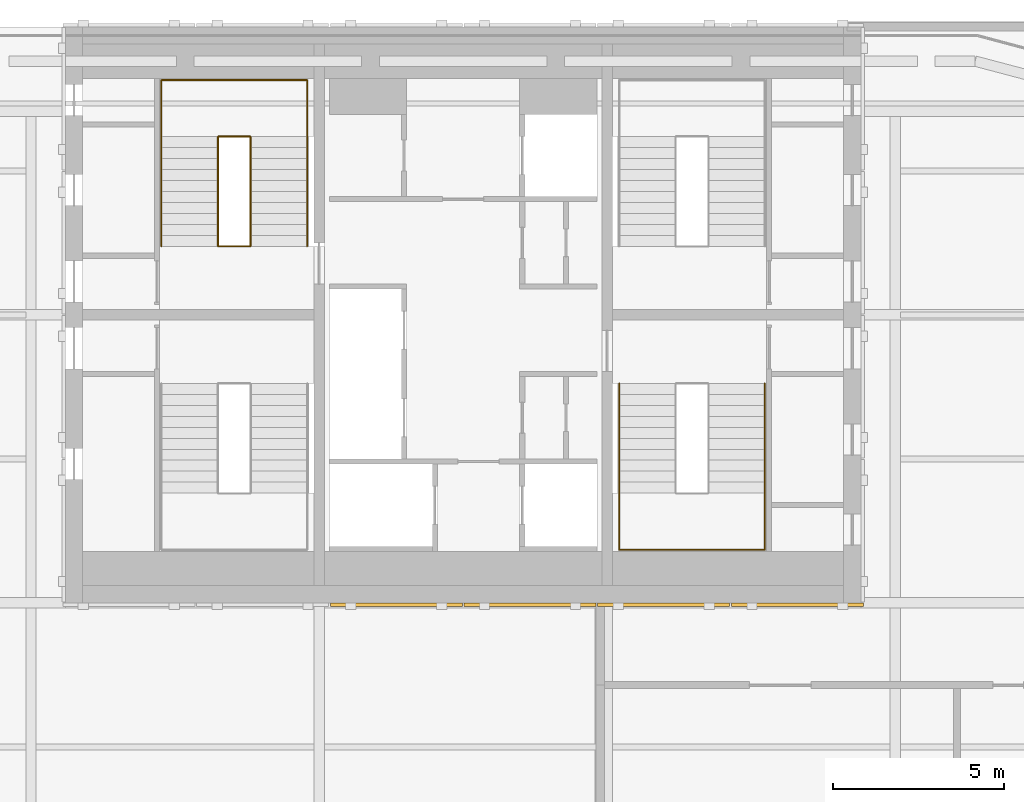
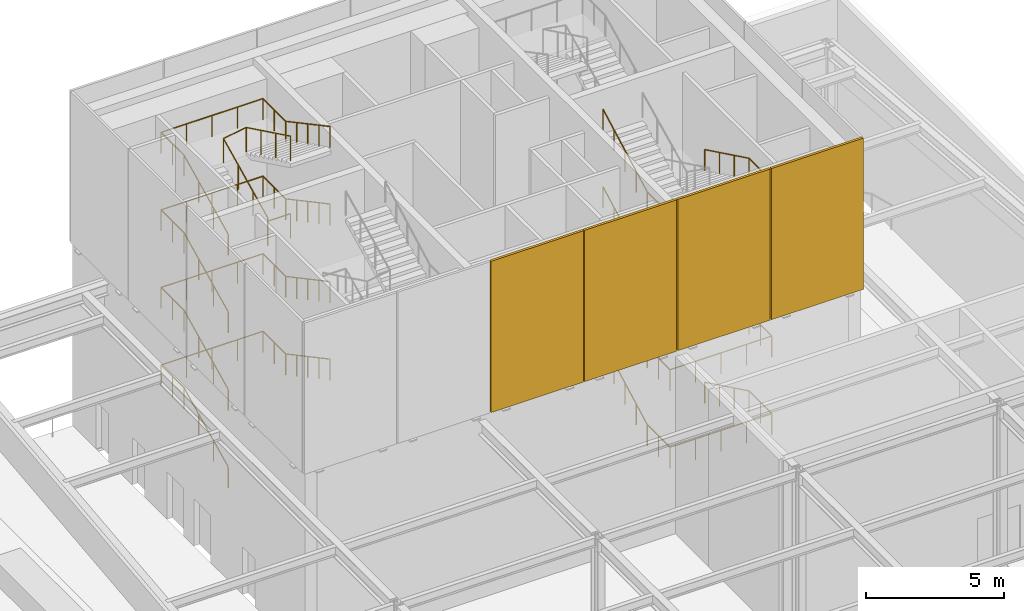
# One storey, part 12 of 14: 9 railings, 4 coverings.
"""IFC4 building model written with IfcOpenShell, lengths in metres."""

from ifc_helpers import new_model, si_unit, direction, frame, origin, origin_2d, place, context, subcontext, project, spatial, rectangle, circle, extrude, material, layer, layer_set, type_object, element, save


model = new_model("IFC4")

# Units and contexts
model_context = context("Model", 3, precision=1e-05, world=origin(), true_north=direction((0.0, 1.0)))
body_context = subcontext(model_context, "Body", "Model", "MODEL_VIEW")
ifc_project = project(units=[si_unit("LENGTHUNIT", "METRE"), si_unit("AREAUNIT", "SQUARE_METRE"), si_unit("VOLUMEUNIT", "CUBIC_METRE"), si_unit("PLANEANGLEUNIT", "RADIAN"), si_unit("MASSUNIT", "GRAM", prefix="KILO")], contexts=[model_context])

# Site, building, storey
site_placement = place(None, origin())
site = spatial("IfcSite", under=ifc_project, at=site_placement, CompositionType="ELEMENT")
building_placement = place(site_placement, origin())
building = spatial("IfcBuilding", under=site, at=building_placement, Name="Marenta Gate Hotel Tower", CompositionType="ELEMENT")
storey_placement = place(building_placement, frame((0.0, 0.0, 295.699951171875)))
storey = spatial("IfcBuildingStorey", under=building, at=storey_placement, Name="L67", CompositionType="ELEMENT", Elevation=295.699951171875)

# Railings
ifc_material_1 = material(Name="Stainless steel", Category="steel")
railing_type_1 = type_object("IfcRailingType", Name="Core stair handrail 950", PredefinedType="HANDRAIL", material=ifc_material_1)
railing_1_placement = place(storey_placement, frame((-8.800048828125, 10.39990234375, 0.15576171875)))
element("IfcRailing", 1, at=railing_1_placement, inside=storey, type_object=railing_type_1, Name="HR-950 L67-KR-ST2-1", PredefinedType="HANDRAIL", context=body_context, shape_type="SweptSolid", body=[
    extrude(circle(Radius=0.02392578125, at=origin_2d()), frame((0.0, 0.0, 0.92578125), z_axis=(0.0, 0.899231441842, 0.437473215184), x_axis=(-1.0, 0.0, 0.0)), (0.0, 0.0, 1.0), 3.558837890625),
    extrude(circle(Radius=0.02392578125, at=origin_2d()), frame((0.0, 3.2001953125, 2.48291015625), z_axis=(0.0, 1.0, 0.0), x_axis=(-1.0, 0.0, 0.0)), (0.0, 0.0, 1.0), 1.64990234375),
    extrude(circle(Radius=0.02392578125, at=origin_2d()), frame((0.0, 4.85009765625, 2.48291015625), z_axis=(1.0, 0.0, 0.0), x_axis=(0.0, 1.0, 0.0)), (0.0, 0.0, 1.0), 4.25),
    extrude(circle(Radius=0.02392578125, at=origin_2d()), frame((4.25, 4.85009765625, 2.48291015625), z_axis=(0.0, -1.0, 0.0), x_axis=(1.0, 0.0, 0.0)), (0.0, 0.0, 1.0), 1.64990234375),
    extrude(circle(Radius=0.02392578125, at=origin_2d()), frame((4.25, 3.2001953125, 2.48291015625), z_axis=(0.0, -0.881707861185, 0.47179576887), x_axis=(1.0, 0.0, 0.0)), (0.0, 0.0, 1.0), 3.629638671875),
    extrude(circle(Radius=0.02099609375, at=origin_2d()), origin(), (0.0, 0.0, 1.0), 0.90185546875),
    extrude(circle(Radius=0.02099609375, at=origin_2d()), frame((0.0, 1.066650390625, 0.51904296875)), (0.0, 0.0, 1.0), 0.90185546875),
    extrude(circle(Radius=0.02099609375, at=origin_2d()), frame((0.0, 2.133544921875, 1.037841796875)), (0.0, 0.0, 1.0), 0.90185546875),
    extrude(circle(Radius=0.02099609375, at=origin_2d()), frame((0.0, 3.2001953125, 1.556884765625)), (0.0, 0.0, 1.0), 0.90185546875),
    extrude(circle(Radius=0.02099609375, at=origin_2d()), frame((0.0, 4.025146484375, 1.556884765625)), (0.0, 0.0, 1.0), 0.90185546875),
    extrude(circle(Radius=0.02099609375, at=origin_2d()), frame((0.0, 4.85009765625, 1.556884765625)), (0.0, 0.0, 1.0), 0.90185546875),
    extrude(circle(Radius=0.02099609375, at=origin_2d()), frame((1.0625, 4.85009765625, 1.556884765625)), (0.0, 0.0, 1.0), 0.90185546875),
    extrude(circle(Radius=0.02099609375, at=origin_2d()), frame((2.125, 4.85009765625, 1.556884765625)), (0.0, 0.0, 1.0), 0.90185546875),
    extrude(circle(Radius=0.02099609375, at=origin_2d()), frame((3.1875, 4.85009765625, 1.556884765625)), (0.0, 0.0, 1.0), 0.90185546875),
    extrude(circle(Radius=0.02099609375, at=origin_2d()), frame((4.25, 4.85009765625, 1.556884765625)), (0.0, 0.0, 1.0), 0.90185546875),
    extrude(circle(Radius=0.02099609375, at=origin_2d()), frame((4.25, 4.025146484375, 1.556884765625)), (0.0, 0.0, 1.0), 0.90185546875),
    extrude(circle(Radius=0.02099609375, at=origin_2d()), frame((4.25, 3.2001953125, 1.556884765625)), (0.0, 0.0, 1.0), 0.90185546875),
    extrude(circle(Radius=0.02099609375, at=origin_2d()), frame((4.25, 2.400146484375, 1.98486328125)), (0.0, 0.0, 1.0), 0.90185546875),
    extrude(circle(Radius=0.02099609375, at=origin_2d()), frame((4.25, 1.60009765625, 2.4130859375)), (0.0, 0.0, 1.0), 0.90185546875),
    extrude(circle(Radius=0.02099609375, at=origin_2d()), frame((4.25, 0.800048828125, 2.84130859375)), (0.0, 0.0, 1.0), 0.90185546875),
    extrude(circle(Radius=0.02099609375, at=origin_2d()), frame((4.25, 0.0, 3.269287109375)), (0.0, 0.0, 1.0), 0.90185546875),
])
railing_2_placement = place(storey_placement, frame((-8.800048828125, 10.39990234375, 3.580810546875)))
element("IfcRailing", 2, at=railing_2_placement, inside=storey, type_object=railing_type_1, Name="HR-950 L67-KR-ST2-3", PredefinedType="HANDRAIL", context=body_context, shape_type="SweptSolid", body=[
    extrude(circle(Radius=0.02392578125, at=origin_2d()), frame((0.0, 0.0, 0.92578125), z_axis=(0.0, 0.899258428152, 0.437417740151), x_axis=(-1.0, 0.0, 0.0)), (0.0, 0.0, 1.0), 3.55859375),
    extrude(circle(Radius=0.02392578125, at=origin_2d()), frame((0.0, 3.2001953125, 2.482421875), z_axis=(0.0, 1.0, 0.0), x_axis=(-1.0, 0.0, 0.0)), (0.0, 0.0, 1.0), 1.64990234375),
    extrude(circle(Radius=0.02392578125, at=origin_2d()), frame((0.0, 4.85009765625, 2.482421875), z_axis=(1.0, 0.0, 0.0), x_axis=(0.0, 1.0, 0.0)), (0.0, 0.0, 1.0), 4.25),
    extrude(circle(Radius=0.02392578125, at=origin_2d()), frame((4.25, 4.85009765625, 2.482421875), z_axis=(0.0, -1.0, 0.0), x_axis=(1.0, 0.0, 0.0)), (0.0, 0.0, 1.0), 1.64990234375),
    extrude(circle(Radius=0.02392578125, at=origin_2d()), frame((4.25, 3.2001953125, 2.482421875), z_axis=(0.0, -0.881679879278, 0.471848058677), x_axis=(1.0, 0.0, 0.0)), (0.0, 0.0, 1.0), 3.629638671875),
    extrude(circle(Radius=0.02099609375, at=origin_2d()), origin(), (0.0, 0.0, 1.0), 0.90185546875),
    extrude(circle(Radius=0.02099609375, at=origin_2d()), frame((0.0, 1.066650390625, 0.518798828125)), (0.0, 0.0, 1.0), 0.90185546875),
    extrude(circle(Radius=0.02099609375, at=origin_2d()), frame((0.0, 2.133544921875, 1.037841796875)), (0.0, 0.0, 1.0), 0.90185546875),
    extrude(circle(Radius=0.02099609375, at=origin_2d()), frame((0.0, 3.2001953125, 1.556640625)), (0.0, 0.0, 1.0), 0.90185546875),
    extrude(circle(Radius=0.02099609375, at=origin_2d()), frame((0.0, 4.025146484375, 1.556640625)), (0.0, 0.0, 1.0), 0.90185546875),
    extrude(circle(Radius=0.02099609375, at=origin_2d()), frame((0.0, 4.85009765625, 1.556640625)), (0.0, 0.0, 1.0), 0.90185546875),
    extrude(circle(Radius=0.02099609375, at=origin_2d()), frame((1.0625, 4.85009765625, 1.556640625)), (0.0, 0.0, 1.0), 0.90185546875),
    extrude(circle(Radius=0.02099609375, at=origin_2d()), frame((2.125, 4.85009765625, 1.556640625)), (0.0, 0.0, 1.0), 0.90185546875),
    extrude(circle(Radius=0.02099609375, at=origin_2d()), frame((3.1875, 4.85009765625, 1.556640625)), (0.0, 0.0, 1.0), 0.90185546875),
    extrude(circle(Radius=0.02099609375, at=origin_2d()), frame((4.25, 4.85009765625, 1.556640625)), (0.0, 0.0, 1.0), 0.90185546875),
    extrude(circle(Radius=0.02099609375, at=origin_2d()), frame((4.25, 4.025146484375, 1.556640625)), (0.0, 0.0, 1.0), 0.90185546875),
    extrude(circle(Radius=0.02099609375, at=origin_2d()), frame((4.25, 3.2001953125, 1.556640625)), (0.0, 0.0, 1.0), 0.90185546875),
    extrude(circle(Radius=0.02099609375, at=origin_2d()), frame((4.25, 2.400146484375, 1.98486328125)), (0.0, 0.0, 1.0), 0.90185546875),
    extrude(circle(Radius=0.02099609375, at=origin_2d()), frame((4.25, 1.60009765625, 2.4130859375)), (0.0, 0.0, 1.0), 0.90185546875),
    extrude(circle(Radius=0.02099609375, at=origin_2d()), frame((4.25, 0.800048828125, 2.841064453125)), (0.0, 0.0, 1.0), 0.90185546875),
    extrude(circle(Radius=0.02099609375, at=origin_2d()), frame((4.25, 0.0, 3.269287109375)), (0.0, 0.0, 1.0), 0.90185546875),
])
railing_3_placement = place(storey_placement, frame((-8.800048828125, 10.39990234375, 7.005615234375)))
element("IfcRailing", 3, at=railing_3_placement, inside=storey, type_object=railing_type_1, Name="HR-950 L67-KR-ST2-5", PredefinedType="HANDRAIL", context=body_context, shape_type="SweptSolid", body=[
    extrude(circle(Radius=0.02392578125, at=origin_2d()), frame((0.0, 0.0, 0.92578125), z_axis=(0.0, 0.899231441842, 0.437473215184), x_axis=(-1.0, 0.0, 0.0)), (0.0, 0.0, 1.0), 3.558837890625),
    extrude(circle(Radius=0.02392578125, at=origin_2d()), frame((0.0, 3.2001953125, 2.48291015625), z_axis=(0.0, 1.0, 0.0), x_axis=(-1.0, 0.0, 0.0)), (0.0, 0.0, 1.0), 1.64990234375),
    extrude(circle(Radius=0.02392578125, at=origin_2d()), frame((0.0, 4.85009765625, 2.48291015625), z_axis=(1.0, 0.0, 0.0), x_axis=(0.0, 1.0, 0.0)), (0.0, 0.0, 1.0), 4.25),
    extrude(circle(Radius=0.02392578125, at=origin_2d()), frame((4.25, 4.85009765625, 2.48291015625), z_axis=(0.0, -1.0, 0.0), x_axis=(1.0, 0.0, 0.0)), (0.0, 0.0, 1.0), 1.64990234375),
    extrude(circle(Radius=0.02392578125, at=origin_2d()), frame((4.25, 3.2001953125, 2.48291015625), z_axis=(0.0, -0.881679879278, 0.471848058677), x_axis=(1.0, 0.0, 0.0)), (0.0, 0.0, 1.0), 3.629638671875),
    extrude(circle(Radius=0.02099609375, at=origin_2d()), origin(), (0.0, 0.0, 1.0), 0.90185546875),
    extrude(circle(Radius=0.02099609375, at=origin_2d()), frame((0.0, 1.066650390625, 0.51904296875)), (0.0, 0.0, 1.0), 0.90185546875),
    extrude(circle(Radius=0.02099609375, at=origin_2d()), frame((0.0, 2.133544921875, 1.037841796875)), (0.0, 0.0, 1.0), 0.90185546875),
    extrude(circle(Radius=0.02099609375, at=origin_2d()), frame((0.0, 3.2001953125, 1.556884765625)), (0.0, 0.0, 1.0), 0.90185546875),
    extrude(circle(Radius=0.02099609375, at=origin_2d()), frame((0.0, 4.025146484375, 1.556884765625)), (0.0, 0.0, 1.0), 0.90185546875),
    extrude(circle(Radius=0.02099609375, at=origin_2d()), frame((0.0, 4.85009765625, 1.556884765625)), (0.0, 0.0, 1.0), 0.90185546875),
    extrude(circle(Radius=0.02099609375, at=origin_2d()), frame((1.0625, 4.85009765625, 1.556884765625)), (0.0, 0.0, 1.0), 0.90185546875),
    extrude(circle(Radius=0.02099609375, at=origin_2d()), frame((2.125, 4.85009765625, 1.556884765625)), (0.0, 0.0, 1.0), 0.90185546875),
    extrude(circle(Radius=0.02099609375, at=origin_2d()), frame((3.1875, 4.85009765625, 1.556884765625)), (0.0, 0.0, 1.0), 0.90185546875),
    extrude(circle(Radius=0.02099609375, at=origin_2d()), frame((4.25, 4.85009765625, 1.556884765625)), (0.0, 0.0, 1.0), 0.90185546875),
    extrude(circle(Radius=0.02099609375, at=origin_2d()), frame((4.25, 4.025146484375, 1.556884765625)), (0.0, 0.0, 1.0), 0.90185546875),
    extrude(circle(Radius=0.02099609375, at=origin_2d()), frame((4.25, 3.2001953125, 1.556884765625)), (0.0, 0.0, 1.0), 0.90185546875),
    extrude(circle(Radius=0.02099609375, at=origin_2d()), frame((4.25, 2.400146484375, 1.985107421875)), (0.0, 0.0, 1.0), 0.90185546875),
    extrude(circle(Radius=0.02099609375, at=origin_2d()), frame((4.25, 1.60009765625, 2.4130859375)), (0.0, 0.0, 1.0), 0.90185546875),
    extrude(circle(Radius=0.02099609375, at=origin_2d()), frame((4.25, 0.800048828125, 2.84130859375)), (0.0, 0.0, 1.0), 0.90185546875),
    extrude(circle(Radius=0.02099609375, at=origin_2d()), frame((4.25, 0.0, 3.26953125)), (0.0, 0.0, 1.0), 0.90185546875),
])
railing_4_placement = place(storey_placement, frame((-8.800048828125, 10.39990234375, 10.4306640625)))
element("IfcRailing", 4, at=railing_4_placement, inside=storey, type_object=railing_type_1, Name="HR-950 L67-KR-ST2-7", PredefinedType="HANDRAIL", context=body_context, shape_type="SweptSolid", body=[
    extrude(circle(Radius=0.02392578125, at=origin_2d()), frame((0.0, 0.0, 0.92578125), z_axis=(0.0, 0.899231441842, 0.437473215184), x_axis=(-1.0, 0.0, 0.0)), (0.0, 0.0, 1.0), 3.558837890625),
    extrude(circle(Radius=0.02392578125, at=origin_2d()), frame((0.0, 3.2001953125, 2.48291015625), z_axis=(0.0, 1.0, 0.0), x_axis=(-1.0, 0.0, 0.0)), (0.0, 0.0, 1.0), 1.64990234375),
    extrude(circle(Radius=0.02392578125, at=origin_2d()), frame((0.0, 4.85009765625, 2.48291015625), z_axis=(1.0, 0.0, 0.0), x_axis=(0.0, 1.0, 0.0)), (0.0, 0.0, 1.0), 4.25),
    extrude(circle(Radius=0.02392578125, at=origin_2d()), frame((4.25, 4.85009765625, 2.48291015625), z_axis=(0.0, -1.0, 0.0), x_axis=(1.0, 0.0, 0.0)), (0.0, 0.0, 1.0), 1.64990234375),
    extrude(circle(Radius=0.02392578125, at=origin_2d()), frame((4.25, 3.2001953125, 2.48291015625), z_axis=(0.0, -0.881707861185, 0.47179576887), x_axis=(1.0, 0.0, 0.0)), (0.0, 0.0, 1.0), 3.629638671875),
    extrude(circle(Radius=0.02099609375, at=origin_2d()), origin(), (0.0, 0.0, 1.0), 0.90185546875),
    extrude(circle(Radius=0.02099609375, at=origin_2d()), frame((0.0, 1.066650390625, 0.51904296875)), (0.0, 0.0, 1.0), 0.90185546875),
    extrude(circle(Radius=0.02099609375, at=origin_2d()), frame((0.0, 2.133544921875, 1.037841796875)), (0.0, 0.0, 1.0), 0.90185546875),
    extrude(circle(Radius=0.02099609375, at=origin_2d()), frame((0.0, 3.2001953125, 1.556884765625)), (0.0, 0.0, 1.0), 0.90185546875),
    extrude(circle(Radius=0.02099609375, at=origin_2d()), frame((0.0, 4.025146484375, 1.556884765625)), (0.0, 0.0, 1.0), 0.90185546875),
    extrude(circle(Radius=0.02099609375, at=origin_2d()), frame((0.0, 4.85009765625, 1.556884765625)), (0.0, 0.0, 1.0), 0.90185546875),
    extrude(circle(Radius=0.02099609375, at=origin_2d()), frame((1.0625, 4.85009765625, 1.556884765625)), (0.0, 0.0, 1.0), 0.90185546875),
    extrude(circle(Radius=0.02099609375, at=origin_2d()), frame((2.125, 4.85009765625, 1.556884765625)), (0.0, 0.0, 1.0), 0.90185546875),
    extrude(circle(Radius=0.02099609375, at=origin_2d()), frame((3.1875, 4.85009765625, 1.556884765625)), (0.0, 0.0, 1.0), 0.90185546875),
    extrude(circle(Radius=0.02099609375, at=origin_2d()), frame((4.25, 4.85009765625, 1.556884765625)), (0.0, 0.0, 1.0), 0.90185546875),
    extrude(circle(Radius=0.02099609375, at=origin_2d()), frame((4.25, 4.025146484375, 1.556884765625)), (0.0, 0.0, 1.0), 0.90185546875),
    extrude(circle(Radius=0.02099609375, at=origin_2d()), frame((4.25, 3.2001953125, 1.556884765625)), (0.0, 0.0, 1.0), 0.90185546875),
    extrude(circle(Radius=0.02099609375, at=origin_2d()), frame((4.25, 2.400146484375, 1.98486328125)), (0.0, 0.0, 1.0), 0.90185546875),
    extrude(circle(Radius=0.02099609375, at=origin_2d()), frame((4.25, 1.60009765625, 2.4130859375)), (0.0, 0.0, 1.0), 0.90185546875),
    extrude(circle(Radius=0.02099609375, at=origin_2d()), frame((4.25, 0.800048828125, 2.84130859375)), (0.0, 0.0, 1.0), 0.90185546875),
    extrude(circle(Radius=0.02099609375, at=origin_2d()), frame((4.25, 0.0, 3.269287109375)), (0.0, 0.0, 1.0), 0.90185546875),
])
railing_5_placement = place(storey_placement, frame((8.800048828125, 6.39990234375, 0.15576171875)))
element("IfcRailing", 5, at=railing_5_placement, inside=storey, type_object=railing_type_1, Name="HR-950 L67-KR-ST3-1", PredefinedType="HANDRAIL", context=body_context, shape_type="SweptSolid", body=[
    extrude(circle(Radius=0.02392578125, at=origin_2d()), frame((0.0, 0.0, 0.92578125), z_axis=(0.0, -0.899218311435, 0.437500203862), x_axis=(1.0, 0.0, 0.0)), (0.0, 0.0, 1.0), 3.55859375),
    extrude(circle(Radius=0.02392578125, at=origin_2d()), frame((0.0, -3.199951171875, 2.48291015625), z_axis=(0.0, -1.0, 0.0), x_axis=(1.0, 0.0, 0.0)), (0.0, 0.0, 1.0), 1.64990234375),
    extrude(circle(Radius=0.02392578125, at=origin_2d()), frame((0.0, -4.849853515625, 2.48291015625), z_axis=(-1.0, 0.0, 0.0), x_axis=(0.0, -1.0, 0.0)), (0.0, 0.0, 1.0), 4.25),
    extrude(circle(Radius=0.02392578125, at=origin_2d()), frame((-4.25, -4.849853515625, 2.48291015625), z_axis=(0.0, 1.0, 0.0), x_axis=(-1.0, 0.0, 0.0)), (0.0, 0.0, 1.0), 1.64990234375),
    extrude(circle(Radius=0.02392578125, at=origin_2d()), frame((-4.25, -3.199951171875, 2.48291015625), z_axis=(0.0, 0.881692887283, 0.471823751537), x_axis=(-1.0, 0.0, 0.0)), (0.0, 0.0, 1.0), 3.62939453125),
    extrude(circle(Radius=0.02099609375, at=origin_2d()), origin(), (0.0, 0.0, 1.0), 0.90185546875),
    extrude(circle(Radius=0.02099609375, at=origin_2d()), frame((0.0, -1.066650390625, 0.51904296875)), (0.0, 0.0, 1.0), 0.90185546875),
    extrude(circle(Radius=0.02099609375, at=origin_2d()), frame((0.0, -2.13330078125, 1.037841796875)), (0.0, 0.0, 1.0), 0.90185546875),
    extrude(circle(Radius=0.02099609375, at=origin_2d()), frame((0.0, -3.199951171875, 1.556884765625)), (0.0, 0.0, 1.0), 0.90185546875),
    extrude(circle(Radius=0.02099609375, at=origin_2d()), frame((0.0, -4.02490234375, 1.556884765625)), (0.0, 0.0, 1.0), 0.90185546875),
    extrude(circle(Radius=0.02099609375, at=origin_2d()), frame((0.0, -4.849853515625, 1.556884765625)), (0.0, 0.0, 1.0), 0.90185546875),
    extrude(circle(Radius=0.02099609375, at=origin_2d()), frame((-1.0625, -4.849853515625, 1.556884765625)), (0.0, 0.0, 1.0), 0.90185546875),
    extrude(circle(Radius=0.02099609375, at=origin_2d()), frame((-2.125, -4.849853515625, 1.556884765625)), (0.0, 0.0, 1.0), 0.90185546875),
    extrude(circle(Radius=0.02099609375, at=origin_2d()), frame((-3.1875, -4.849853515625, 1.556884765625)), (0.0, 0.0, 1.0), 0.90185546875),
    extrude(circle(Radius=0.02099609375, at=origin_2d()), frame((-4.25, -4.849853515625, 1.556884765625)), (0.0, 0.0, 1.0), 0.90185546875),
    extrude(circle(Radius=0.02099609375, at=origin_2d()), frame((-4.25, -4.02490234375, 1.556884765625)), (0.0, 0.0, 1.0), 0.90185546875),
    extrude(circle(Radius=0.02099609375, at=origin_2d()), frame((-4.25, -3.199951171875, 1.556884765625)), (0.0, 0.0, 1.0), 0.90185546875),
    extrude(circle(Radius=0.02099609375, at=origin_2d()), frame((-4.25, -2.39990234375, 1.98486328125)), (0.0, 0.0, 1.0), 0.90185546875),
    extrude(circle(Radius=0.02099609375, at=origin_2d()), frame((-4.25, -1.60009765625, 2.4130859375)), (0.0, 0.0, 1.0), 0.90185546875),
    extrude(circle(Radius=0.02099609375, at=origin_2d()), frame((-4.25, -0.800048828125, 2.84130859375)), (0.0, 0.0, 1.0), 0.90185546875),
    extrude(circle(Radius=0.02099609375, at=origin_2d()), frame((-4.25, 0.0, 3.269287109375)), (0.0, 0.0, 1.0), 0.90185546875),
])
railing_6_placement = place(storey_placement, frame((8.800048828125, 6.39990234375, 3.580810546875)))
element("IfcRailing", 6, at=railing_6_placement, inside=storey, type_object=railing_type_1, Name="HR-950 L67-KR-ST3-3", PredefinedType="HANDRAIL", context=body_context, shape_type="SweptSolid", body=[
    extrude(circle(Radius=0.02392578125, at=origin_2d()), frame((0.0, 0.0, 0.92578125), z_axis=(0.0, -0.899245300681, 0.437444727027), x_axis=(1.0, 0.0, 0.0)), (0.0, 0.0, 1.0), 3.55859375),
    extrude(circle(Radius=0.02392578125, at=origin_2d()), frame((0.0, -3.199951171875, 2.482421875), z_axis=(0.0, -1.0, 0.0), x_axis=(1.0, 0.0, 0.0)), (0.0, 0.0, 1.0), 1.64990234375),
    extrude(circle(Radius=0.02392578125, at=origin_2d()), frame((0.0, -4.849853515625, 2.482421875), z_axis=(-1.0, 0.0, 0.0), x_axis=(0.0, -1.0, 0.0)), (0.0, 0.0, 1.0), 4.25),
    extrude(circle(Radius=0.02392578125, at=origin_2d()), frame((-4.25, -4.849853515625, 2.482421875), z_axis=(0.0, 1.0, 0.0), x_axis=(-1.0, 0.0, 0.0)), (0.0, 0.0, 1.0), 1.64990234375),
    extrude(circle(Radius=0.02392578125, at=origin_2d()), frame((-4.25, -3.199951171875, 2.482421875), z_axis=(0.0, 0.881664902531, 0.471876042669), x_axis=(-1.0, 0.0, 0.0)), (0.0, 0.0, 1.0), 3.62939453125),
    extrude(circle(Radius=0.02099609375, at=origin_2d()), origin(), (0.0, 0.0, 1.0), 0.90185546875),
    extrude(circle(Radius=0.02099609375, at=origin_2d()), frame((0.0, -1.066650390625, 0.518798828125)), (0.0, 0.0, 1.0), 0.90185546875),
    extrude(circle(Radius=0.02099609375, at=origin_2d()), frame((0.0, -2.13330078125, 1.037841796875)), (0.0, 0.0, 1.0), 0.90185546875),
    extrude(circle(Radius=0.02099609375, at=origin_2d()), frame((0.0, -3.199951171875, 1.556640625)), (0.0, 0.0, 1.0), 0.90185546875),
    extrude(circle(Radius=0.02099609375, at=origin_2d()), frame((0.0, -4.02490234375, 1.556640625)), (0.0, 0.0, 1.0), 0.90185546875),
    extrude(circle(Radius=0.02099609375, at=origin_2d()), frame((0.0, -4.849853515625, 1.556640625)), (0.0, 0.0, 1.0), 0.90185546875),
    extrude(circle(Radius=0.02099609375, at=origin_2d()), frame((-1.0625, -4.849853515625, 1.556640625)), (0.0, 0.0, 1.0), 0.90185546875),
    extrude(circle(Radius=0.02099609375, at=origin_2d()), frame((-2.125, -4.849853515625, 1.556640625)), (0.0, 0.0, 1.0), 0.90185546875),
    extrude(circle(Radius=0.02099609375, at=origin_2d()), frame((-3.1875, -4.849853515625, 1.556640625)), (0.0, 0.0, 1.0), 0.90185546875),
    extrude(circle(Radius=0.02099609375, at=origin_2d()), frame((-4.25, -4.849853515625, 1.556640625)), (0.0, 0.0, 1.0), 0.90185546875),
    extrude(circle(Radius=0.02099609375, at=origin_2d()), frame((-4.25, -4.02490234375, 1.556640625)), (0.0, 0.0, 1.0), 0.90185546875),
    extrude(circle(Radius=0.02099609375, at=origin_2d()), frame((-4.25, -3.199951171875, 1.556640625)), (0.0, 0.0, 1.0), 0.90185546875),
    extrude(circle(Radius=0.02099609375, at=origin_2d()), frame((-4.25, -2.39990234375, 1.98486328125)), (0.0, 0.0, 1.0), 0.90185546875),
    extrude(circle(Radius=0.02099609375, at=origin_2d()), frame((-4.25, -1.60009765625, 2.4130859375)), (0.0, 0.0, 1.0), 0.90185546875),
    extrude(circle(Radius=0.02099609375, at=origin_2d()), frame((-4.25, -0.800048828125, 2.841064453125)), (0.0, 0.0, 1.0), 0.90185546875),
    extrude(circle(Radius=0.02099609375, at=origin_2d()), frame((-4.25, 0.0, 3.269287109375)), (0.0, 0.0, 1.0), 0.90185546875),
])
railing_7_placement = place(storey_placement, frame((8.800048828125, 6.39990234375, 7.005615234375)))
element("IfcRailing", 7, at=railing_7_placement, inside=storey, type_object=railing_type_1, Name="HR-950 L67-KR-ST3-5", PredefinedType="HANDRAIL", context=body_context, shape_type="SweptSolid", body=[
    extrude(circle(Radius=0.02392578125, at=origin_2d()), frame((0.0, 0.0, 0.92578125), z_axis=(0.0, -0.899218311435, 0.437500203862), x_axis=(1.0, 0.0, 0.0)), (0.0, 0.0, 1.0), 3.55859375),
    extrude(circle(Radius=0.02392578125, at=origin_2d()), frame((0.0, -3.199951171875, 2.48291015625), z_axis=(0.0, -1.0, 0.0), x_axis=(1.0, 0.0, 0.0)), (0.0, 0.0, 1.0), 1.64990234375),
    extrude(circle(Radius=0.02392578125, at=origin_2d()), frame((0.0, -4.849853515625, 2.48291015625), z_axis=(-1.0, 0.0, 0.0), x_axis=(0.0, -1.0, 0.0)), (0.0, 0.0, 1.0), 4.25),
    extrude(circle(Radius=0.02392578125, at=origin_2d()), frame((-4.25, -4.849853515625, 2.48291015625), z_axis=(0.0, 1.0, 0.0), x_axis=(-1.0, 0.0, 0.0)), (0.0, 0.0, 1.0), 1.64990234375),
    extrude(circle(Radius=0.02392578125, at=origin_2d()), frame((-4.25, -3.199951171875, 2.48291015625), z_axis=(0.0, 0.881664902531, 0.471876042669), x_axis=(-1.0, 0.0, 0.0)), (0.0, 0.0, 1.0), 3.62939453125),
    extrude(circle(Radius=0.02099609375, at=origin_2d()), origin(), (0.0, 0.0, 1.0), 0.90185546875),
    extrude(circle(Radius=0.02099609375, at=origin_2d()), frame((0.0, -1.066650390625, 0.51904296875)), (0.0, 0.0, 1.0), 0.90185546875),
    extrude(circle(Radius=0.02099609375, at=origin_2d()), frame((0.0, -2.13330078125, 1.037841796875)), (0.0, 0.0, 1.0), 0.90185546875),
    extrude(circle(Radius=0.02099609375, at=origin_2d()), frame((0.0, -3.199951171875, 1.556884765625)), (0.0, 0.0, 1.0), 0.90185546875),
    extrude(circle(Radius=0.02099609375, at=origin_2d()), frame((0.0, -4.02490234375, 1.556884765625)), (0.0, 0.0, 1.0), 0.90185546875),
    extrude(circle(Radius=0.02099609375, at=origin_2d()), frame((0.0, -4.849853515625, 1.556884765625)), (0.0, 0.0, 1.0), 0.90185546875),
    extrude(circle(Radius=0.02099609375, at=origin_2d()), frame((-1.0625, -4.849853515625, 1.556884765625)), (0.0, 0.0, 1.0), 0.90185546875),
    extrude(circle(Radius=0.02099609375, at=origin_2d()), frame((-2.125, -4.849853515625, 1.556884765625)), (0.0, 0.0, 1.0), 0.90185546875),
    extrude(circle(Radius=0.02099609375, at=origin_2d()), frame((-3.1875, -4.849853515625, 1.556884765625)), (0.0, 0.0, 1.0), 0.90185546875),
    extrude(circle(Radius=0.02099609375, at=origin_2d()), frame((-4.25, -4.849853515625, 1.556884765625)), (0.0, 0.0, 1.0), 0.90185546875),
    extrude(circle(Radius=0.02099609375, at=origin_2d()), frame((-4.25, -4.02490234375, 1.556884765625)), (0.0, 0.0, 1.0), 0.90185546875),
    extrude(circle(Radius=0.02099609375, at=origin_2d()), frame((-4.25, -3.199951171875, 1.556884765625)), (0.0, 0.0, 1.0), 0.90185546875),
    extrude(circle(Radius=0.02099609375, at=origin_2d()), frame((-4.25, -2.39990234375, 1.985107421875)), (0.0, 0.0, 1.0), 0.90185546875),
    extrude(circle(Radius=0.02099609375, at=origin_2d()), frame((-4.25, -1.60009765625, 2.4130859375)), (0.0, 0.0, 1.0), 0.90185546875),
    extrude(circle(Radius=0.02099609375, at=origin_2d()), frame((-4.25, -0.800048828125, 2.84130859375)), (0.0, 0.0, 1.0), 0.90185546875),
    extrude(circle(Radius=0.02099609375, at=origin_2d()), frame((-4.25, 0.0, 3.26953125)), (0.0, 0.0, 1.0), 0.90185546875),
])
railing_8_placement = place(storey_placement, frame((8.800048828125, 6.39990234375, 10.4306640625)))
element("IfcRailing", 8, at=railing_8_placement, inside=storey, type_object=railing_type_1, Name="HR-950 L67-KR-ST3-7", PredefinedType="HANDRAIL", context=body_context, shape_type="SweptSolid", body=[
    extrude(circle(Radius=0.02392578125, at=origin_2d()), frame((0.0, 0.0, 0.92578125), z_axis=(0.0, -0.899218311435, 0.437500203862), x_axis=(1.0, 0.0, 0.0)), (0.0, 0.0, 1.0), 3.55859375),
    extrude(circle(Radius=0.02392578125, at=origin_2d()), frame((0.0, -3.199951171875, 2.48291015625), z_axis=(0.0, -1.0, 0.0), x_axis=(1.0, 0.0, 0.0)), (0.0, 0.0, 1.0), 1.64990234375),
    extrude(circle(Radius=0.02392578125, at=origin_2d()), frame((0.0, -4.849853515625, 2.48291015625), z_axis=(-1.0, 0.0, 0.0), x_axis=(0.0, -1.0, 0.0)), (0.0, 0.0, 1.0), 4.25),
    extrude(circle(Radius=0.02392578125, at=origin_2d()), frame((-4.25, -4.849853515625, 2.48291015625), z_axis=(0.0, 1.0, 0.0), x_axis=(-1.0, 0.0, 0.0)), (0.0, 0.0, 1.0), 1.64990234375),
    extrude(circle(Radius=0.02392578125, at=origin_2d()), frame((-4.25, -3.199951171875, 2.48291015625), z_axis=(0.0, 0.881692887283, 0.471823751537), x_axis=(-1.0, 0.0, 0.0)), (0.0, 0.0, 1.0), 3.62939453125),
    extrude(circle(Radius=0.02099609375, at=origin_2d()), origin(), (0.0, 0.0, 1.0), 0.90185546875),
    extrude(circle(Radius=0.02099609375, at=origin_2d()), frame((0.0, -1.066650390625, 0.51904296875)), (0.0, 0.0, 1.0), 0.90185546875),
    extrude(circle(Radius=0.02099609375, at=origin_2d()), frame((0.0, -2.13330078125, 1.037841796875)), (0.0, 0.0, 1.0), 0.90185546875),
    extrude(circle(Radius=0.02099609375, at=origin_2d()), frame((0.0, -3.199951171875, 1.556884765625)), (0.0, 0.0, 1.0), 0.90185546875),
    extrude(circle(Radius=0.02099609375, at=origin_2d()), frame((0.0, -4.02490234375, 1.556884765625)), (0.0, 0.0, 1.0), 0.90185546875),
    extrude(circle(Radius=0.02099609375, at=origin_2d()), frame((0.0, -4.849853515625, 1.556884765625)), (0.0, 0.0, 1.0), 0.90185546875),
    extrude(circle(Radius=0.02099609375, at=origin_2d()), frame((-1.0625, -4.849853515625, 1.556884765625)), (0.0, 0.0, 1.0), 0.90185546875),
    extrude(circle(Radius=0.02099609375, at=origin_2d()), frame((-2.125, -4.849853515625, 1.556884765625)), (0.0, 0.0, 1.0), 0.90185546875),
    extrude(circle(Radius=0.02099609375, at=origin_2d()), frame((-3.1875, -4.849853515625, 1.556884765625)), (0.0, 0.0, 1.0), 0.90185546875),
    extrude(circle(Radius=0.02099609375, at=origin_2d()), frame((-4.25, -4.849853515625, 1.556884765625)), (0.0, 0.0, 1.0), 0.90185546875),
    extrude(circle(Radius=0.02099609375, at=origin_2d()), frame((-4.25, -4.02490234375, 1.556884765625)), (0.0, 0.0, 1.0), 0.90185546875),
    extrude(circle(Radius=0.02099609375, at=origin_2d()), frame((-4.25, -3.199951171875, 1.556884765625)), (0.0, 0.0, 1.0), 0.90185546875),
    extrude(circle(Radius=0.02099609375, at=origin_2d()), frame((-4.25, -2.39990234375, 1.98486328125)), (0.0, 0.0, 1.0), 0.90185546875),
    extrude(circle(Radius=0.02099609375, at=origin_2d()), frame((-4.25, -1.60009765625, 2.4130859375)), (0.0, 0.0, 1.0), 0.90185546875),
    extrude(circle(Radius=0.02099609375, at=origin_2d()), frame((-4.25, -0.800048828125, 2.84130859375)), (0.0, 0.0, 1.0), 0.90185546875),
    extrude(circle(Radius=0.02099609375, at=origin_2d()), frame((-4.25, 0.0, 3.269287109375)), (0.0, 0.0, 1.0), 0.90185546875),
])
ifc_material_2 = material(Name="Stainless steel", Category="steel")
railing_type_2 = type_object("IfcRailingType", Name="Core stair well guard 1100", PredefinedType="GUARDRAIL", material=ifc_material_2)
railing_9_placement = place(storey_placement, frame((-6.199951171875, 10.39990234375, 10.275146484375)))
element("IfcRailing", 9, at=railing_9_placement, inside=storey, type_object=railing_type_2, Name="GR-1100 L67-KR-ST2-8", PredefinedType="GUARDRAIL", context=body_context, shape_type="SweptSolid", body=[
    extrude(circle(Radius=0.02392578125, at=origin_2d()), frame((0.0, 0.0, 1.076171875), z_axis=(-1.0, 0.0, 0.0), x_axis=(0.0, -1.0, 0.0)), (0.0, 0.0, 1.0), 0.949951171875),
    extrude(circle(Radius=0.02392578125, at=origin_2d()), frame((-0.949951171875, 0.0, 1.076171875), z_axis=(0.0, 0.0, 1.0), x_axis=(1.0, 0.0, 0.0)), (0.0, 0.0, 1.0), 0.155517578125),
    extrude(circle(Radius=0.02392578125, at=origin_2d()), frame((-0.949951171875, 0.0, 1.2314453125), z_axis=(0.0, 0.899231441842, 0.437473215184), x_axis=(-1.0, 0.0, 0.0)), (0.0, 0.0, 1.0), 3.558837890625),
    extrude(circle(Radius=0.02392578125, at=origin_2d()), frame((-0.949951171875, 3.2001953125, 2.78857421875), z_axis=(0.986822354621, 0.0, 0.161807417694), x_axis=(0.0, 1.0, 0.0)), (0.0, 0.0, 1.0), 0.962646484375),
    extrude(circle(Radius=0.02392578125, at=origin_2d()), frame((0.0, 3.2001953125, 2.9443359375), z_axis=(0.0, -0.899258428152, 0.437417740151), x_axis=(1.0, 0.0, 0.0)), (0.0, 0.0, 1.0), 3.55859375),
    extrude(circle(Radius=0.02099609375, at=origin_2d()), origin(), (0.0, 0.0, 1.0), 1.052001953125),
    extrude(circle(Radius=0.02099609375, at=origin_2d()), frame((-0.949951171875, 0.0, 0.0)), (0.0, 0.0, 1.0), 1.052001953125),
    extrude(circle(Radius=0.02099609375, at=origin_2d()), frame((-0.949951171875, 0.0, 0.155517578125)), (0.0, 0.0, 1.0), 1.052001953125),
    extrude(circle(Radius=0.02099609375, at=origin_2d()), frame((-0.949951171875, 1.066650390625, 0.674560546875)), (0.0, 0.0, 1.0), 1.052001953125),
    extrude(circle(Radius=0.02099609375, at=origin_2d()), frame((-0.949951171875, 2.133544921875, 1.193359375)), (0.0, 0.0, 1.0), 1.052001953125),
    extrude(circle(Radius=0.02099609375, at=origin_2d()), frame((-0.949951171875, 3.2001953125, 1.71240234375)), (0.0, 0.0, 1.0), 1.052001953125),
    extrude(circle(Radius=0.02099609375, at=origin_2d()), frame((0.0, 3.2001953125, 1.8681640625)), (0.0, 0.0, 1.0), 1.052001953125),
    extrude(circle(Radius=0.02099609375, at=origin_2d()), frame((0.0, 2.133544921875, 2.386962890625)), (0.0, 0.0, 1.0), 1.052001953125),
    extrude(circle(Radius=0.02099609375, at=origin_2d()), frame((0.0, 1.066650390625, 2.906005859375)), (0.0, 0.0, 1.0), 1.052001953125),
    extrude(circle(Radius=0.02099609375, at=origin_2d()), frame((0.0, 0.0, 3.4248046875)), (0.0, 0.0, 1.0), 1.052001953125),
])

# Coverings
ifc_material_3 = material(Name="Bronze anodised aluminium louvre", Category="aluminium")
ifc_layer = layer(ifc_material_3, 0.10009765625)
ifc_layer_set = layer_set([ifc_layer], Name="Bronze anodised aluminium louvre")
covering_type = type_object("IfcCoveringType", Name="Core top louvre cladding panel 100 mm", PredefinedType="CLADDING", material=ifc_layer_set)
for number, where, z_axis, x_axis, name in (
    (10, (-1.949951171875, -0.050048828125, 8.1201171875), (0.0, 0.0, 1.0), (1.0, 0.0, 0.0), "Core top louvre cladding"),
    (11, (1.949951171875, -0.050048828125, 8.1201171875), (0.0, 0.0, 1.0), (1.0, 0.0, 0.0), "Core top louvre cladding"),
    (12, (5.85009765625, -0.050048828125, 8.1201171875), (0.0, 0.0, 1.0), (1.0, 0.0, 0.0), "Core top louvre cladding"),
    (13, (9.75, -0.050048828125, 8.1201171875), (0.0, 0.0, 1.0), (1.0, 0.0, 0.0), "Core top louvre cladding"),
):
    element("IfcCovering", number, at=place(storey_placement, frame(where, z_axis=z_axis, x_axis=x_axis)), inside=storey, type_object=covering_type, Name=name, PredefinedType="CLADDING", context=body_context, shape_type="SweptSolid", body=[
        extrude(rectangle(XDim=3.85009765625, YDim=0.10009765625, at=origin_2d()), origin(), (0.0, 0.0, 1.0), 6.679931640625),
    ])

save(model, "model.ifc")
